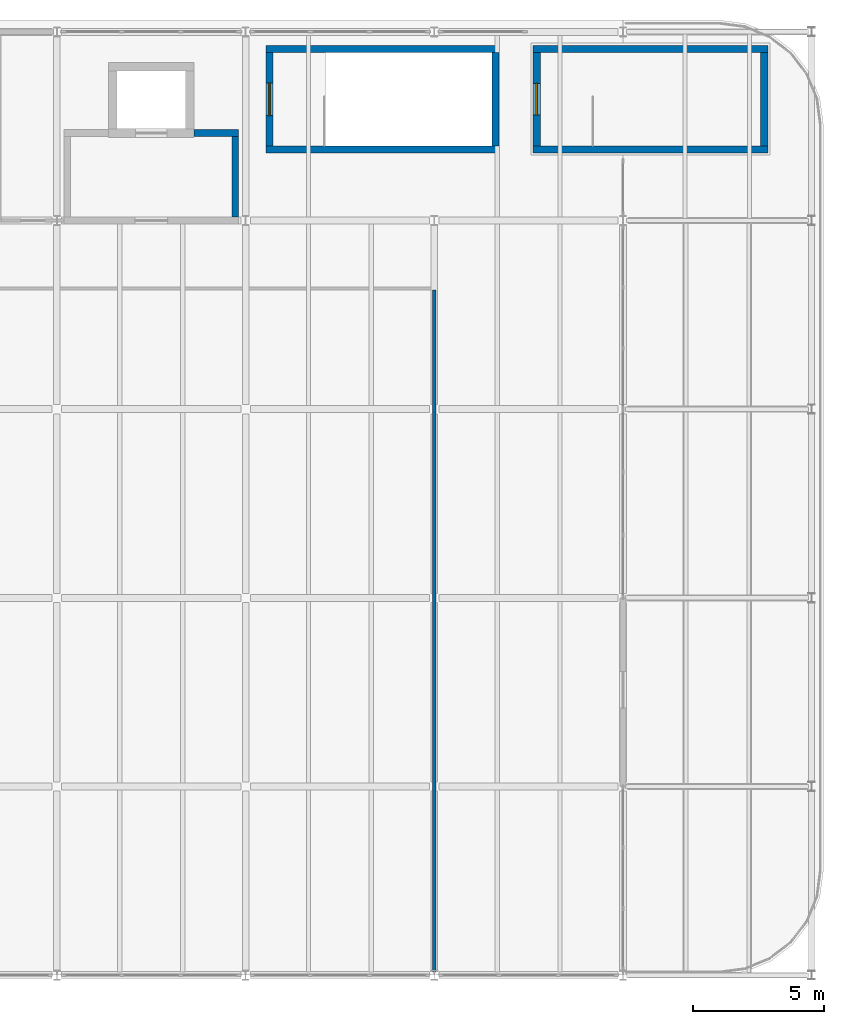
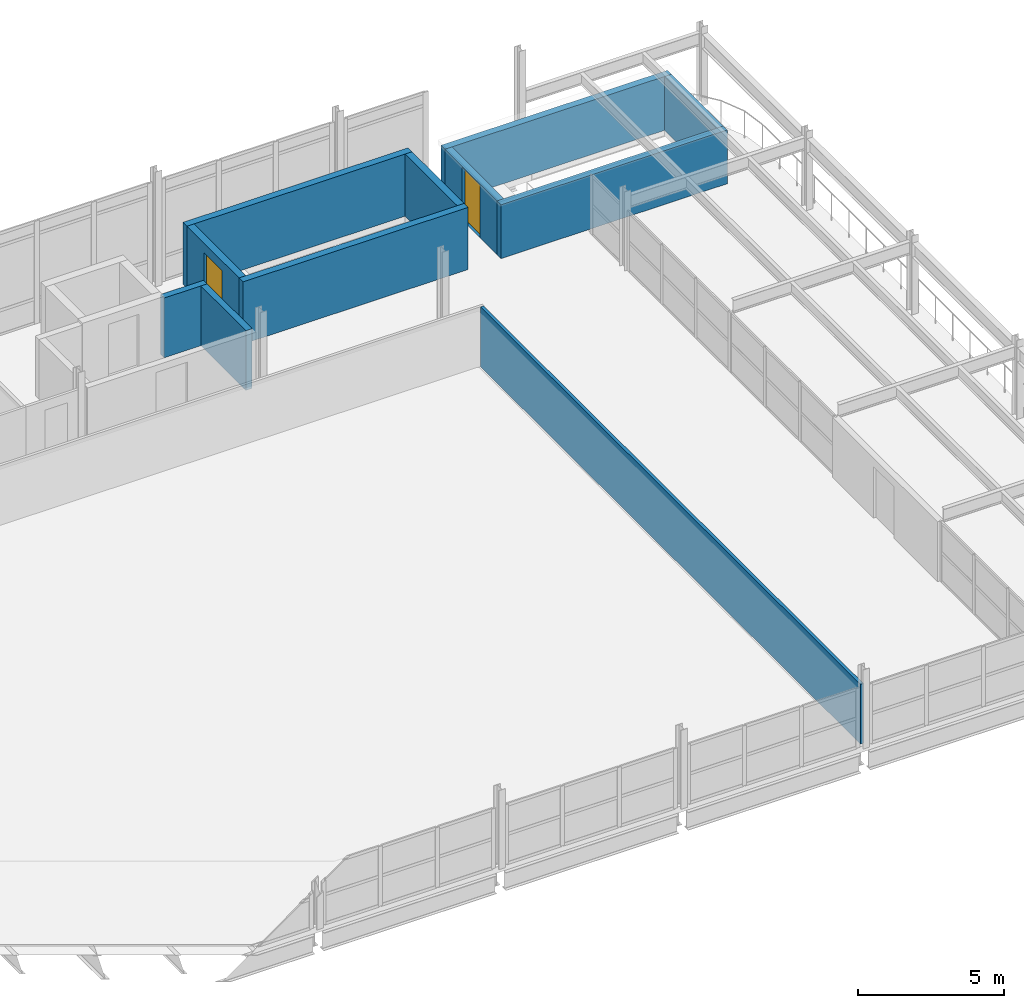
# One storey, part 22 of 25: 11 walls, 2 doors, 2 openings.
"""IFC4 building model written with IfcOpenShell, lengths in metres."""

from ifc_helpers import new_model, si_unit, direction, frame, frame_2d, origin, place, context, subcontext, project, spatial, rectangle, extrude, material, layer, layer_set, type_object, element, fill, save


model = new_model("IFC4")

# Units and contexts
model_context = context("Model", 3, precision=1e-05, world=origin(), true_north=direction((0.0, 1.0)))
body_context = subcontext(model_context, "Body", "Model", "MODEL_VIEW")
ifc_project = project(units=[si_unit("LENGTHUNIT", "METRE"), si_unit("AREAUNIT", "SQUARE_METRE"), si_unit("VOLUMEUNIT", "CUBIC_METRE"), si_unit("PLANEANGLEUNIT", "RADIAN"), si_unit("MASSUNIT", "GRAM", prefix="KILO")], contexts=[model_context])

# Site, building, storey
site_placement = place(None, origin())
site = spatial("IfcSite", under=ifc_project, at=site_placement, CompositionType="ELEMENT")
building_placement = place(site_placement, origin())
building = spatial("IfcBuilding", under=site, at=building_placement, Name="Vaelcorin Mobility Hub", CompositionType="ELEMENT")
storey_placement = place(building_placement, frame((0.0, 0.0, 21.0)))
storey = spatial("IfcBuildingStorey", under=building, at=storey_placement, Name="L05", CompositionType="ELEMENT", Elevation=21.0)

# Walls
ifc_material_1 = material(Name="Reinforced concrete f'c 45 MPa", Category="concrete")
ifc_layer_1 = layer(ifc_material_1, 0.27490234375)
ifc_layer_set_1 = layer_set([ifc_layer_1], Name="Reinforced concrete f'c 45 MPa")
wall_type_1 = type_object("IfcWallType", Name="WL-CORE-275", PredefinedType="SOLIDWALL", material=ifc_layer_set_1)
for number, where, z_axis, x_axis, name in (
    (1, (110.47509765625, 115.511962890625, 0.0), (0.0, 0.0, 1.0), (-1.0, 0.0, 0.0), "ST4 Fire Core Wall L05 South"),
    (2, (101.574951171875, 119.347900390625, 0.0), (0.0, 0.0, 1.0), (1.0, 0.0, 0.0), "ST4 Fire Core Wall L05 North"),
):
    element("IfcWall", number, at=place(storey_placement, frame(where, z_axis=z_axis, x_axis=x_axis)), inside=storey, type_object=wall_type_1, Name=name, PredefinedType="SOLIDWALL", context=body_context, shape_type="SweptSolid", body=[
        extrude(rectangle(XDim=8.900146484375, YDim=0.27490234375, at=frame_2d((4.4501953125, 0.0))), origin(), (0.0, 0.0, 1.0), 2.60009765625),
    ])

# Wall, opening, door
wall_1_placement = place(storey_placement, frame((101.7119140625, 115.64990234375, 0.0), z_axis=(0.0, 0.0, 1.0), x_axis=(0.0, 1.0, 0.0)))
wall_1 = element("IfcWall", 3, at=wall_1_placement, inside=storey, type_object=wall_type_1, Name="ST4 Fire Core Wall L05 West", PredefinedType="SOLIDWALL", context=body_context, shape_type="SweptSolid", body=[
    extrude(rectangle(XDim=3.56005859375, YDim=0.27490234375, at=frame_2d((1.780029296875, 0.0))), origin(), (0.0, 0.0, 1.0), 2.60009765625),
])
opening_1_placement = place(wall_1_placement, frame((1.155029296875, 0.0, 0.0)))
opening_1 = element("IfcOpeningElement", 4, at=opening_1_placement, cuts=wall_1, Name="Opening SD02", PredefinedType="OPENING", context=body_context, shape_type="SweptSolid", body=[
    extrude(rectangle(XDim=1.25, YDim=2.199951171875, at=frame_2d((0.625, 1.10009765625))), frame((0.0, 0.1474609375, 0.0), z_axis=(0.0, -1.0, 0.0), x_axis=(1.0, 0.0, 0.0)), (0.0, 0.0, 1.0), 0.294921875),
])
ifc_material_2 = material(Name="Hollow-metal insulated steel fire door", Category="steel")
door_type_1 = type_object("IfcDoorType", Name="DR-STAIR-FF", OperationType="NOTDEFINED", PredefinedType="DOOR", material=ifc_material_2)
door_1_placement = place(opening_1_placement, origin())
door_1 = element("IfcDoor", 5, at=door_1_placement, inside=storey, type_object=door_type_1, Name="ST4 Protected Stair Door L05", OperationType="SINGLE_SWING_RIGHT", OverallHeight=2.199951171875, OverallWidth=1.25, PredefinedType="DOOR", context=body_context, shape_type="SweptSolid", body=[
    extrude(rectangle(XDim=1.25, YDim=2.199951171875, at=frame_2d((0.625, 1.10009765625))), frame((0.0, 0.02490234375, 0.0), z_axis=(0.0, -1.0, 0.0), x_axis=(1.0, 0.0, 0.0)), (0.0, 0.0, 1.0), 0.050048828125),
])
fill(opening_1, door_1)

# Walls
wall_2_placement = place(storey_placement, frame((110.337890625, 119.2099609375, 0.0), z_axis=(0.0, 0.0, 1.0), x_axis=(0.0, -1.0, 0.0)))
element("IfcWall", 6, at=wall_2_placement, inside=storey, type_object=wall_type_1, Name="ST4 Fire Core Wall L05 East", PredefinedType="SOLIDWALL", context=body_context, shape_type="SweptSolid", body=[
    extrude(rectangle(XDim=3.56005859375, YDim=0.27490234375, at=frame_2d((1.780029296875, 0.0))), origin(), (0.0, 0.0, 1.0), 2.60009765625),
])
for number, where, z_axis, x_axis, name in (
    (7, (120.72509765625, 115.511962890625, 0.0), (0.0, 0.0, 1.0), (-1.0, 0.0, 0.0), "ST9 Fire Core Wall L05 South"),
    (8, (111.77490234375, 119.347900390625, 0.0), (0.0, 0.0, 1.0), (1.0, 0.0, 0.0), "ST9 Fire Core Wall L05 North"),
):
    element("IfcWall", number, at=place(storey_placement, frame(where, z_axis=z_axis, x_axis=x_axis)), inside=storey, type_object=wall_type_1, Name=name, PredefinedType="SOLIDWALL", context=body_context, shape_type="SweptSolid", body=[
        extrude(rectangle(XDim=8.9501953125, YDim=0.27490234375, at=frame_2d((4.47509765625, 0.0))), origin(), (0.0, 0.0, 1.0), 2.25),
    ])

# Wall, opening, door
wall_3_placement = place(storey_placement, frame((111.912109375, 115.64990234375, 0.0), z_axis=(0.0, 0.0, 1.0), x_axis=(0.0, 1.0, 0.0)))
wall_3 = element("IfcWall", 9, at=wall_3_placement, inside=storey, type_object=wall_type_1, Name="ST9 Fire Core Wall L05 West", PredefinedType="SOLIDWALL", context=body_context, shape_type="SweptSolid", body=[
    extrude(rectangle(XDim=3.56005859375, YDim=0.27490234375, at=frame_2d((1.780029296875, 0.0))), origin(), (0.0, 0.0, 1.0), 2.25),
])
opening_2_placement = place(wall_3_placement, frame((1.179931640625, 0.0, 0.0)))
opening_2 = element("IfcOpeningElement", 10, at=opening_2_placement, cuts=wall_3, Name="Opening SD01", PredefinedType="OPENING", context=body_context, shape_type="SweptSolid", body=[
    extrude(rectangle(XDim=1.199951171875, YDim=2.199951171875, at=frame_2d((0.60009765625, 1.10009765625))), frame((0.0, 0.1474609375, 0.0), z_axis=(0.0, -1.0, 0.0), x_axis=(1.0, 0.0, 0.0)), (0.0, 0.0, 1.0), 0.294921875),
])
door_type_2 = type_object("IfcDoorType", Name="DR-STAIR-90", OperationType="NOTDEFINED", PredefinedType="DOOR", material=ifc_material_2)
door_2_placement = place(opening_2_placement, origin())
door_2 = element("IfcDoor", 11, at=door_2_placement, inside=storey, type_object=door_type_2, Name="ST9 Protected Stair Door L05", OperationType="SINGLE_SWING_RIGHT", OverallHeight=2.199951171875, OverallWidth=1.199951171875, PredefinedType="DOOR", context=body_context, shape_type="SweptSolid", body=[
    extrude(rectangle(XDim=1.199951171875, YDim=2.199951171875, at=frame_2d((0.60009765625, 1.10009765625))), frame((0.0, 0.02490234375, 0.0), z_axis=(0.0, -1.0, 0.0), x_axis=(1.0, 0.0, 0.0)), (0.0, 0.0, 1.0), 0.050048828125),
])
fill(opening_2, door_2)

# Walls
wall_4_placement = place(storey_placement, frame((120.587890625, 119.2099609375, 0.0), z_axis=(0.0, 0.0, 1.0), x_axis=(0.0, -1.0, 0.0)))
element("IfcWall", 12, at=wall_4_placement, inside=storey, type_object=wall_type_1, Name="ST9 Fire Core Wall L05 East", PredefinedType="SOLIDWALL", context=body_context, shape_type="SweptSolid", body=[
    extrude(rectangle(XDim=3.56005859375, YDim=0.27490234375, at=frame_2d((1.780029296875, 0.0))), origin(), (0.0, 0.0, 1.0), 2.25),
])
ifc_material_3 = material(Name="Fire-rated acoustic steel-stud gypsum board", Category="steel")
ifc_layer_2 = layer(ifc_material_3, 0.1201171875)
ifc_layer_set_2 = layer_set([ifc_layer_2], Name="Fire-rated acoustic steel-stud gypsum board")
wall_type_2 = type_object("IfcWallType", Name="WL-PART-120", PredefinedType="PARTITIONING", material=ifc_layer_set_2)
wall_5_placement = place(storey_placement, frame((108.0, 110.14306640625, 0.0), z_axis=(0.0, 0.0, 1.0), x_axis=(0.0, -1.0, 0.0)))
element("IfcWall", 13, at=wall_5_placement, inside=storey, type_object=wall_type_2, Name="Multi-Sport Court Hall Partition East", PredefinedType="PARTITIONING", context=body_context, shape_type="SweptSolid", body=[
    extrude(rectangle(XDim=26.02099609375, YDim=0.1201171875, at=frame_2d((13.010498046875, 0.0))), origin(), (0.0, 0.0, 1.0), 2.5),
])
ifc_material_4 = material(Name="Reinforced acoustic concrete masonry C30/37", Category="masonry")
ifc_layer_3 = layer(ifc_material_4, 0.25)
ifc_layer_set_3 = layer_set([ifc_layer_3], Name="Reinforced acoustic concrete masonry C30/37")
wall_type_3 = type_object("IfcWallType", Name="WL-PART-250", PredefinedType="PARTITIONING", material=ifc_layer_set_3)
wall_6_placement = place(storey_placement, frame((98.826904296875, 116.137939453125, 0.0), z_axis=(0.0, 0.0, 1.0), x_axis=(1.0, 0.0, 0.0)))
element("IfcWall", 14, at=wall_6_placement, inside=storey, type_object=wall_type_3, Name="Firefighting Lobby East L05 Return Wall NE", PredefinedType="PARTITIONING", context=body_context, shape_type="SweptSolid", body=[
    extrude(rectangle(XDim=1.697998046875, YDim=0.25, at=frame_2d((0.84912109375, 0.0))), origin(), (0.0, 0.0, 1.0), 2.5),
])
wall_7_placement = place(storey_placement, frame((100.39990234375, 116.010986328125, 0.0), z_axis=(0.0, 0.0, 1.0), x_axis=(0.0, -1.0, 0.0)))
element("IfcWall", 15, at=wall_7_placement, inside=storey, type_object=wall_type_3, Name="Firefighting Lobby East L05 Partition East", PredefinedType="PARTITIONING", context=body_context, shape_type="SweptSolid", body=[
    extrude(rectangle(XDim=3.083984375, YDim=0.25, at=frame_2d((1.5419921875, 0.0))), origin(), (0.0, 0.0, 1.0), 2.5),
])

save(model, "model.ifc")
